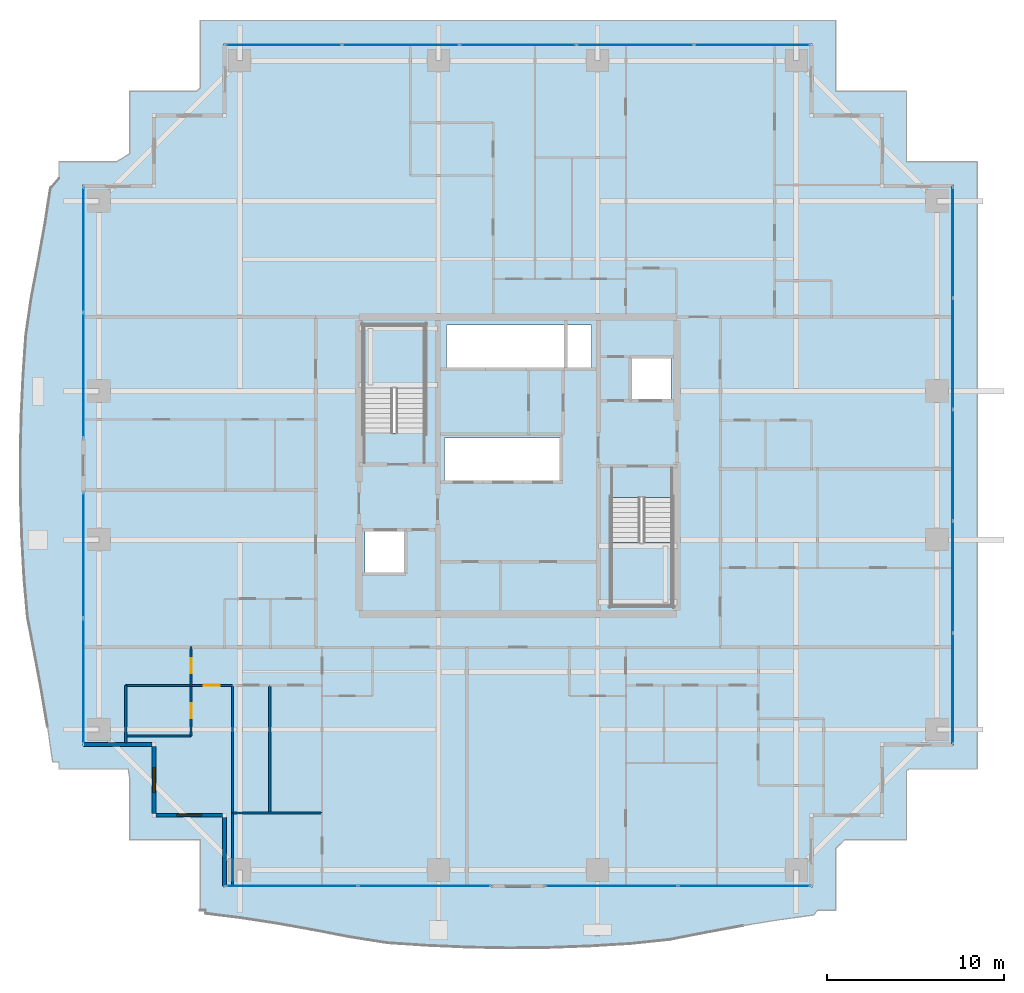
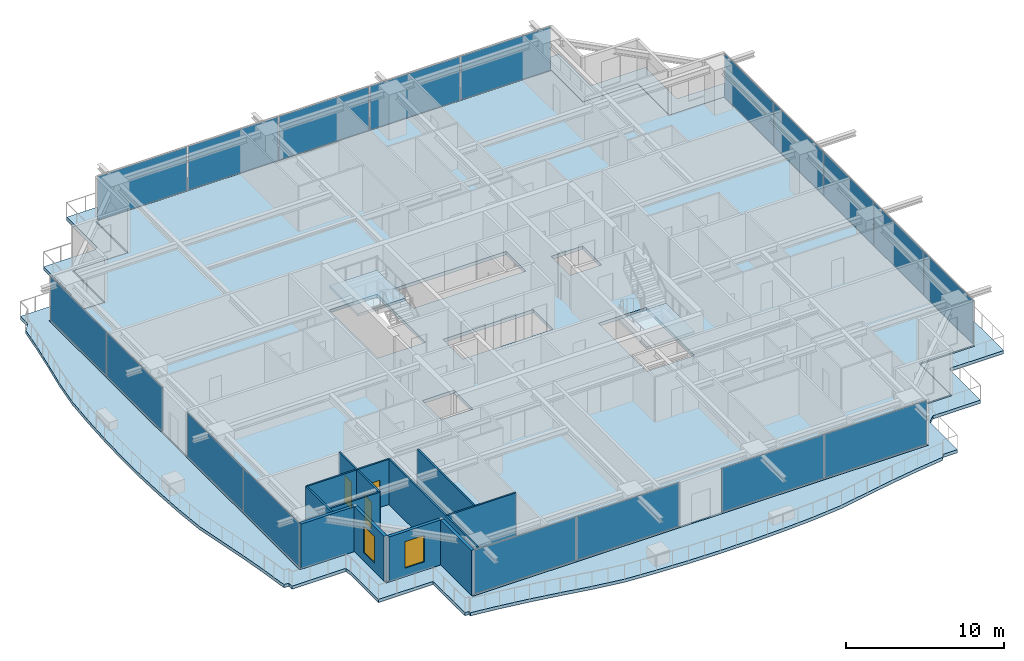
# One storey, part 23 of 34: 18 plates, 13 walls, 4 slabs, 3 doors, 2 windows, 5 openings, 8 elements without a shape of their own.
"""IFC4 building model written with IfcOpenShell, lengths in metres."""

from ifc_helpers import new_model, si_unit, direction, frame, frame_2d, origin, origin_2d, place, context, subcontext, project, spatial, polyline, rectangle, outline, extrude, source, transform, mapped, material, layer, layer_set, type_object, element, fill, aggregate, save


model = new_model("IFC4")

# Units and contexts
model_context = context("Model", 3, precision=1e-05, world=origin(), true_north=direction((0.0, 1.0)))
body_context = subcontext(model_context, "Body", "Model", "MODEL_VIEW")
ifc_project = project(units=[si_unit("LENGTHUNIT", "METRE"), si_unit("AREAUNIT", "SQUARE_METRE"), si_unit("VOLUMEUNIT", "CUBIC_METRE"), si_unit("PLANEANGLEUNIT", "RADIAN"), si_unit("MASSUNIT", "GRAM", prefix="KILO")], contexts=[model_context])

# Site, building, storey
site_placement = place(None, origin())
site = spatial("IfcSite", under=ifc_project, at=site_placement, CompositionType="ELEMENT")
building_placement = place(site_placement, origin())
building = spatial("IfcBuilding", under=site, at=building_placement, Name="Serunith Strait Residences", CompositionType="ELEMENT")
storey_placement = place(building_placement, frame((0.0, 0.0, 142.64990234375)))
storey = spatial("IfcBuildingStorey", under=building, at=storey_placement, Name="L35", CompositionType="ELEMENT", Elevation=142.64990234375)

# Slab
ifc_material_1 = material(Name="Concrete C50/60", Category="concrete")
ifc_layer_1 = layer(ifc_material_1, 0.239990234375, Name="Concrete C50/60")
ifc_layer_set_1 = layer_set([ifc_layer_1], Name="Concrete C50/60")
slab_type_1 = type_object("IfcSlabType", Name="SLB-BALC-240", PredefinedType="FLOOR", material=ifc_layer_set_1)
slab_1_placement = place(storey_placement, frame((0.0, 0.0, -0.289794921875)))
element("IfcSlab", 1, at=slab_1_placement, inside=storey, type_object=slab_type_1, Name="L35 Planted Vertical-Forest Balcony Slab", PredefinedType="FLOOR", context=body_context, shape_type="SweptSolid", body=[
    extrude(outline(polyline([(14.419921875, 0.02001953125), (14.419921875, 4.02001953125), (10.419921875, 4.02001953125), (10.419921875, 7.514404296875), (10.343994140625, 8.02001953125), (6.419921875, 8.02001953125), (6.419921875, 8.406494140625), (6.062744140625, 8.427001953125), (5.77734375, 10.427734375), (5.43701171875, 12.44921875), (5.05126953125, 14.5087890625), (4.64501953125, 16.625244140625), (4.44873046875, 18.85595703125), (4.323486328125, 21.12939453125), (4.252197265625, 23.426513671875), (4.2412109375, 25.734130859375), (4.2919921875, 28.03759765625), (4.399169921875, 30.322021484375), (4.552978515625, 32.576904296875), (4.867919921875, 34.75048828125), (5.26806640625, 36.8359375), (5.632080078125, 38.8740234375), (5.944091796875, 40.883544921875), (6.419921875, 41.4404296875), (6.419921875, 42.3798828125), (9.6748046875, 42.3798828125), (10.419921875, 42.8251953125), (10.419921875, 46.3798828125), (14.1982421875, 46.3798828125), (14.419921875, 46.55908203125), (14.419921875, 50.3798828125), (50.3798828125, 50.3798828125), (50.3798828125, 46.3798828125), (54.3798828125, 46.3798828125), (54.3798828125, 42.3798828125), (58.3798828125, 42.3798828125), (58.3798828125, 8.02001953125), (54.51513671875, 8.02001953125), (54.3798828125, 7.921875), (54.3798828125, 4.02001953125), (50.8994140625, 4.02001953125), (50.3798828125, 3.522705078125), (50.3798828125, 0.02001953125), (49.33251953125, 0.02001953125), (49.14599609375, -0.239501953125), (47.146484375, -0.51220703125), (45.129638671875, -0.843017578125), (43.0771484375, -1.224609375), (40.968994140625, -1.634765625), (38.74951171875, -1.866455078125), (36.4765625, -2.002685546875), (34.177001953125, -2.0869140625), (31.864501953125, -2.10986328125), (29.5546875, -2.069580078125), (27.2626953125, -1.969970703125), (25.00146484375, -1.82080078125), (22.834716796875, -1.47802734375), (20.75244140625, -1.076171875), (18.717529296875, -0.713134765625), (16.71044921875, -0.405517578125), (14.715087890625, -0.155517578125), (14.71630859375, 0.02001953125), (14.419921875, 0.02001953125)]), holes=[polyline([(49.054931640625, 1.344970703125), (49.054931640625, 5.344970703125), (53.054931640625, 5.344970703125), (53.054931640625, 9.344970703125), (57.054931640625, 9.344970703125), (57.054931640625, 41.054931640625), (53.054931640625, 41.054931640625), (53.054931640625, 45.054931640625), (49.054931640625, 45.054931640625), (49.054931640625, 49.054931640625), (15.7451171875, 49.054931640625), (15.7451171875, 45.054931640625), (11.7451171875, 45.054931640625), (11.7451171875, 41.054931640625), (7.7451171875, 41.054931640625), (7.7451171875, 9.344970703125), (11.7451171875, 9.344970703125), (11.7451171875, 5.344970703125), (15.7451171875, 5.344970703125), (15.7451171875, 1.344970703125), (49.054931640625, 1.344970703125)])]), origin(), (0.0, 0.0, 1.0), 0.239990234375),
])

# Stair, slab
stair_type_1 = type_object("IfcStairType", Name="STR-CORE-1", PredefinedType="HALF_TURN_STAIR", material=ifc_material_1)
stair_1_placement = place(storey_placement, origin())
stair_1 = element("IfcStair", 2, at=stair_1_placement, inside=storey, type_object=stair_type_1, Name="L35 Protected Escape Stair ST-1", PredefinedType="HALF_TURN_STAIR")
ifc_layer_2 = layer(ifc_material_1, 0.199951171875, Name="Concrete C50/60")
ifc_layer_set_2 = layer_set([ifc_layer_2], Name="Concrete C50/60")
slab_type_2 = type_object("IfcSlabType", Name="SLB-LAND-200", PredefinedType="LANDING", material=ifc_layer_set_2)
slab_2_placement = place(storey_placement, frame((0.0, 0.0, 1.675048828125)))
slab_2 = element("IfcSlab", 3, at=slab_2_placement, type_object=slab_type_2, Name="ST-1 landing 1", PredefinedType="LANDING", context=body_context, shape_type="SweptSolid", body=[
    extrude(outline(polyline([(27.14990234375, 29.550048828125), (27.14990234375, 33.14990234375), (23.64990234375, 33.14990234375), (23.64990234375, 29.550048828125), (27.14990234375, 29.550048828125)])), origin(), (0.0, 0.0, 1.0), 0.199951171875),
])
aggregate(stair_1, [slab_2])

stair_type_2 = type_object("IfcStairType", Name="STR-CORE-2", PredefinedType="HALF_TURN_STAIR", material=ifc_material_1)
stair_2_placement = place(storey_placement, origin())
stair_2 = element("IfcStair", 4, at=stair_2_placement, inside=storey, type_object=stair_type_2, Name="L35 Protected Escape Stair ST-2", PredefinedType="HALF_TURN_STAIR")
slab_3_placement = place(storey_placement, frame((0.0, 0.0, 1.675048828125)))
slab_3 = element("IfcSlab", 5, at=slab_3_placement, type_object=slab_type_2, Name="ST-2 landing 1", PredefinedType="LANDING", context=body_context, shape_type="SweptSolid", body=[
    extrude(outline(polyline([(37.64990234375, 20.85009765625), (37.64990234375, 17.25), (41.14990234375, 17.25), (41.14990234375, 20.85009765625), (37.64990234375, 20.85009765625)])), origin(), (0.0, 0.0, 1.0), 0.199951171875),
])
aggregate(stair_2, [slab_3])

# Slab
ifc_material_2 = material(Name="Concrete C60/75", Category="concrete")
ifc_layer_3 = layer(ifc_material_2, 0.260009765625, Name="Concrete C60/75")
ifc_layer_set_3 = layer_set([ifc_layer_3], Name="Concrete C60/75")
slab_type_3 = type_object("IfcSlabType", Name="SLB-TWR-260-Z2", PredefinedType="FLOOR", material=ifc_layer_set_3)
slab_4_placement = place(storey_placement, frame((0.0, 0.0, -0.260009765625)))
element("IfcSlab", 6, at=slab_4_placement, inside=storey, type_object=slab_type_3, Name="L35 Structural Floor Plate", PredefinedType="FLOOR", context=body_context, shape_type="SweptSolid", body=[
    extrude(outline(polyline([(15.800048828125, 5.39990234375), (11.800048828125, 5.39990234375), (11.800048828125, 9.39990234375), (7.800048828125, 9.39990234375), (7.800048828125, 41.0), (11.800048828125, 41.0), (11.800048828125, 45.0), (15.800048828125, 45.0), (15.800048828125, 49.0), (49.0, 49.0), (49.0, 45.0), (53.0, 45.0), (53.0, 41.0), (57.0, 41.0), (57.0, 9.39990234375), (53.0, 9.39990234375), (53.0, 5.39990234375), (49.0, 5.39990234375), (49.0, 1.39990234375), (15.800048828125, 1.39990234375), (15.800048828125, 5.39990234375)]), holes=[polyline([(41.14990234375, 23.3701171875), (37.64990234375, 23.3701171875), (37.64990234375, 17.25), (41.14990234375, 17.25), (41.14990234375, 23.3701171875)]), polyline([(38.75, 31.25), (38.75, 28.85009765625), (41.050048828125, 28.85009765625), (41.050048828125, 31.25), (38.75, 31.25)]), polyline([(36.550048828125, 33.14990234375), (28.35009765625, 33.14990234375), (28.35009765625, 30.64990234375), (36.550048828125, 30.64990234375), (36.550048828125, 33.14990234375)]), polyline([(34.85009765625, 26.75), (28.25, 26.75), (28.25, 24.25), (34.85009765625, 24.25), (34.85009765625, 26.75)]), polyline([(23.64990234375, 33.14990234375), (23.64990234375, 27.030029296875), (27.14990234375, 27.030029296875), (27.14990234375, 33.14990234375), (23.64990234375, 33.14990234375)]), polyline([(26.050048828125, 21.550048828125), (23.75, 21.550048828125), (23.75, 19.14990234375), (26.050048828125, 19.14990234375), (26.050048828125, 21.550048828125)])]), origin(), (0.0, 0.0, 1.0), 0.260009765625),
])

# Curtain wall, plates
ifc_material_3 = material(Name="Pale-Champagne Anodised Aluminium", Category="aluminium")
ifc_layer_4 = layer(ifc_material_3, 0.199951171875, Name="Pale-Champagne Anodised Aluminium")
ifc_layer_set_4 = layer_set([ifc_layer_4], Name="Pale-Champagne Anodised Aluminium")
curtain_wall_type = type_object("IfcCurtainWallType", Name="CW-SYS2", PredefinedType="NOTDEFINED", material=ifc_layer_set_4)
curtain_wall_1_placement = place(storey_placement, origin())
curtain_wall_1 = element("IfcCurtainWall", 7, at=curtain_wall_1_placement, inside=storey, type_object=curtain_wall_type, Name="L35 N Unitised Fritted Curtain Wall", PredefinedType="NOTDEFINED")
ifc_material_4 = material(Name="Diagonal-Frit Operable Low-E Glazing 30mm", Category="glass")
ifc_layer_5 = layer(ifc_material_4, 0.030029296875, Name="Diagonal-Frit Operable Low-E Glazing 30mm")
ifc_layer_set_5 = layer_set([ifc_layer_5], Name="Diagonal-Frit Operable Low-E Glazing 30mm")
plate_type = type_object("IfcPlateType", Name="CW-SYS2-PNL", PredefinedType="CURTAIN_PANEL", material=ifc_layer_set_5)
shared_shape_1 = source(origin(), body_context, "Body", "SweptSolid", [
    extrude(rectangle(XDim=6.534912109375, YDim=0.030029296875, at=origin_2d()), origin(), (0.0, 0.0, 1.0), 3.35498046875),
])
plate_1_placement = place(storey_placement, frame((45.66259765625, 49.0, 0.06005859375), z_axis=(0.0, 0.0, 1.0), x_axis=(-1.0, 0.0, 0.0)))
plate_1 = element("IfcPlate", 8, at=plate_1_placement, type_object=plate_type, Name="CW-2 panel 1.1", PredefinedType="CURTAIN_PANEL", context=body_context, shape_type="MappedRepresentation", body=[
    mapped(shared_shape_1, transform((0.0, 0.0, 0.0), scale=1.0)),
])
plate_2_placement = place(storey_placement, frame((19.137451171875, 49.0, 0.06005859375), z_axis=(0.0, 0.0, 1.0), x_axis=(-1.0, 0.0, 0.0)))
plate_2 = element("IfcPlate", 9, at=plate_2_placement, type_object=plate_type, Name="CW-2 panel 5.1", PredefinedType="CURTAIN_PANEL", context=body_context, shape_type="MappedRepresentation", body=[
    mapped(shared_shape_1, transform((0.0, 0.0, 0.0), scale=1.0)),
])
shared_shape_2 = source(origin(), body_context, "Body", "SweptSolid", [
    extrude(rectangle(XDim=6.570068359375, YDim=0.030029296875, at=origin_2d()), origin(), (0.0, 0.0, 1.0), 3.35498046875),
])
plate_3_placement = place(storey_placement, frame((39.0400390625, 49.0, 0.06005859375), z_axis=(0.0, 0.0, 1.0), x_axis=(-1.0, 0.0, 0.0)))
plate_3 = element("IfcPlate", 10, at=plate_3_placement, type_object=plate_type, Name="CW-2 panel 2.1", PredefinedType="CURTAIN_PANEL", context=body_context, shape_type="MappedRepresentation", body=[
    mapped(shared_shape_2, transform((0.0, 0.0, 0.0), scale=1.0)),
])
plate_4_placement = place(storey_placement, frame((32.39990234375, 49.0, 0.06005859375), z_axis=(0.0, 0.0, 1.0), x_axis=(-1.0, 0.0, 0.0)))
plate_4 = element("IfcPlate", 11, at=plate_4_placement, type_object=plate_type, Name="CW-2 panel 3.1", PredefinedType="CURTAIN_PANEL", context=body_context, shape_type="MappedRepresentation", body=[
    mapped(shared_shape_2, transform((0.0, 0.0, 0.0), scale=1.0)),
])
plate_5_placement = place(storey_placement, frame((25.760009765625, 49.0, 0.06005859375), z_axis=(0.0, 0.0, 1.0), x_axis=(-1.0, 0.0, 0.0)))
plate_5 = element("IfcPlate", 12, at=plate_5_placement, type_object=plate_type, Name="CW-2 panel 4.1", PredefinedType="CURTAIN_PANEL", context=body_context, shape_type="MappedRepresentation", body=[
    mapped(shared_shape_2, transform((0.0, 0.0, 0.0), scale=1.0)),
])
aggregate(curtain_wall_1, [plate_1, plate_3, plate_4, plate_5, plate_2])

curtain_wall_2_placement = place(storey_placement, origin())
curtain_wall_2 = element("IfcCurtainWall", 13, at=curtain_wall_2_placement, inside=storey, type_object=curtain_wall_type, Name="L35 E Unitised Fritted Curtain Wall", PredefinedType="NOTDEFINED")
shared_shape_3 = source(origin(), body_context, "Body", "SweptSolid", [
    extrude(rectangle(XDim=6.215087890625, YDim=0.030029296875, at=origin_2d()), origin(), (0.0, 0.0, 1.0), 3.35498046875),
])
plate_6_placement = place(storey_placement, frame((57.0, 12.577392578125, 0.06005859375), z_axis=(0.0, 0.0, 1.0), x_axis=(0.0, 1.0, 0.0)))
plate_6 = element("IfcPlate", 14, at=plate_6_placement, type_object=plate_type, Name="CW-2 panel 1.1", PredefinedType="CURTAIN_PANEL", context=body_context, shape_type="MappedRepresentation", body=[
    mapped(shared_shape_3, transform((0.0, 0.0, 0.0), scale=1.0)),
])
plate_7_placement = place(storey_placement, frame((57.0, 37.822509765625, 0.06005859375), z_axis=(0.0, 0.0, 1.0), x_axis=(0.0, 1.0, 0.0)))
plate_7 = element("IfcPlate", 15, at=plate_7_placement, type_object=plate_type, Name="CW-2 panel 5.1", PredefinedType="CURTAIN_PANEL", context=body_context, shape_type="MappedRepresentation", body=[
    mapped(shared_shape_3, transform((0.0, 0.0, 0.0), scale=1.0)),
])
shared_shape_4 = source(origin(), body_context, "Body", "SweptSolid", [
    extrude(rectangle(XDim=6.25, YDim=0.030029296875, at=origin_2d()), origin(), (0.0, 0.0, 1.0), 3.35498046875),
])
plate_8_placement = place(storey_placement, frame((57.0, 18.8798828125, 0.06005859375), z_axis=(0.0, 0.0, 1.0), x_axis=(0.0, 1.0, 0.0)))
plate_8 = element("IfcPlate", 16, at=plate_8_placement, type_object=plate_type, Name="CW-2 panel 2.1", PredefinedType="CURTAIN_PANEL", context=body_context, shape_type="MappedRepresentation", body=[
    mapped(shared_shape_4, transform((0.0, 0.0, 0.0), scale=1.0)),
])
plate_9_placement = place(storey_placement, frame((57.0, 25.199951171875, 0.06005859375), z_axis=(0.0, 0.0, 1.0), x_axis=(0.0, 1.0, 0.0)))
plate_9 = element("IfcPlate", 17, at=plate_9_placement, type_object=plate_type, Name="CW-2 panel 3.1", PredefinedType="CURTAIN_PANEL", context=body_context, shape_type="MappedRepresentation", body=[
    mapped(shared_shape_4, transform((0.0, 0.0, 0.0), scale=1.0)),
])
plate_10_placement = place(storey_placement, frame((57.0, 31.52001953125, 0.06005859375), z_axis=(0.0, 0.0, 1.0), x_axis=(0.0, 1.0, 0.0)))
plate_10 = element("IfcPlate", 18, at=plate_10_placement, type_object=plate_type, Name="CW-2 panel 4.1", PredefinedType="CURTAIN_PANEL", context=body_context, shape_type="MappedRepresentation", body=[
    mapped(shared_shape_4, transform((0.0, 0.0, 0.0), scale=1.0)),
])
aggregate(curtain_wall_2, [plate_6, plate_8, plate_9, plate_10, plate_7])

curtain_wall_3_placement = place(storey_placement, origin())
curtain_wall_3 = element("IfcCurtainWall", 19, at=curtain_wall_3_placement, inside=storey, type_object=curtain_wall_type, Name="L35 S Unitised Fritted Curtain Wall", PredefinedType="NOTDEFINED")
shared_shape_5 = source(origin(), body_context, "Body", "SweptSolid", [
    extrude(rectangle(XDim=7.445068359375, YDim=0.030029296875, at=origin_2d()), origin(), (0.0, 0.0, 1.0), 3.35498046875),
])
plate_11_placement = place(storey_placement, frame((19.592529296875, 1.39990234375, 0.06005859375), z_axis=(0.0, 0.0, 1.0), x_axis=(1.0, 0.0, 0.0)))
plate_11 = element("IfcPlate", 20, at=plate_11_placement, type_object=plate_type, Name="CW-2 panel 1.1", PredefinedType="CURTAIN_PANEL", context=body_context, shape_type="MappedRepresentation", body=[
    mapped(shared_shape_5, transform((0.0, 0.0, 0.0), scale=1.0)),
])
plate_12_placement = place(storey_placement, frame((27.107421875, 1.39990234375, 0.06005859375), z_axis=(0.0, 0.0, 1.0), x_axis=(1.0, 0.0, 0.0)))
plate_12 = element("IfcPlate", 21, at=plate_12_placement, type_object=plate_type, Name="CW-2 panel 2.1", PredefinedType="CURTAIN_PANEL", context=body_context, shape_type="MappedRepresentation", body=[
    mapped(shared_shape_5, transform((0.0, 0.0, 0.0), scale=1.0)),
])
aggregate(curtain_wall_3, [plate_11, plate_12])

curtain_wall_4_placement = place(storey_placement, origin())
curtain_wall_4 = element("IfcCurtainWall", 22, at=curtain_wall_4_placement, inside=storey, type_object=curtain_wall_type, Name="L35 S Unitised Fritted Curtain Wall", PredefinedType="NOTDEFINED")
plate_13_placement = place(storey_placement, frame((37.6923828125, 1.39990234375, 0.06005859375), z_axis=(0.0, 0.0, 1.0), x_axis=(1.0, 0.0, 0.0)))
plate_13 = element("IfcPlate", 23, at=plate_13_placement, type_object=plate_type, Name="CW-2 panel 1.1", PredefinedType="CURTAIN_PANEL", context=body_context, shape_type="MappedRepresentation", body=[
    mapped(shared_shape_5, transform((0.0, 0.0, 0.0), scale=1.0)),
])
plate_14_placement = place(storey_placement, frame((45.20751953125, 1.39990234375, 0.06005859375), z_axis=(0.0, 0.0, 1.0), x_axis=(1.0, 0.0, 0.0)))
plate_14 = element("IfcPlate", 24, at=plate_14_placement, type_object=plate_type, Name="CW-2 panel 2.1", PredefinedType="CURTAIN_PANEL", context=body_context, shape_type="MappedRepresentation", body=[
    mapped(shared_shape_5, transform((0.0, 0.0, 0.0), scale=1.0)),
])
aggregate(curtain_wall_4, [plate_13, plate_14])

curtain_wall_5_placement = place(storey_placement, origin())
curtain_wall_5 = element("IfcCurtainWall", 25, at=curtain_wall_5_placement, inside=storey, type_object=curtain_wall_type, Name="L35 W Unitised Fritted Curtain Wall", PredefinedType="NOTDEFINED")
shared_shape_6 = source(origin(), body_context, "Body", "SweptSolid", [
    extrude(rectangle(XDim=7.044921875, YDim=0.030029296875, at=origin_2d()), origin(), (0.0, 0.0, 1.0), 3.35498046875),
])
plate_15_placement = place(storey_placement, frame((7.800048828125, 37.407470703125, 0.06005859375), z_axis=(0.0, 0.0, 1.0), x_axis=(0.0, -1.0, 0.0)))
plate_15 = element("IfcPlate", 26, at=plate_15_placement, type_object=plate_type, Name="CW-2 panel 1.1", PredefinedType="CURTAIN_PANEL", context=body_context, shape_type="MappedRepresentation", body=[
    mapped(shared_shape_6, transform((0.0, 0.0, 0.0), scale=1.0)),
])
plate_16_placement = place(storey_placement, frame((7.800048828125, 30.29248046875, 0.06005859375), z_axis=(0.0, 0.0, 1.0), x_axis=(0.0, -1.0, 0.0)))
plate_16 = element("IfcPlate", 27, at=plate_16_placement, type_object=plate_type, Name="CW-2 panel 2.1", PredefinedType="CURTAIN_PANEL", context=body_context, shape_type="MappedRepresentation", body=[
    mapped(shared_shape_6, transform((0.0, 0.0, 0.0), scale=1.0)),
])
aggregate(curtain_wall_5, [plate_15, plate_16])

curtain_wall_6_placement = place(storey_placement, origin())
curtain_wall_6 = element("IfcCurtainWall", 28, at=curtain_wall_6_placement, inside=storey, type_object=curtain_wall_type, Name="L35 W Unitised Fritted Curtain Wall", PredefinedType="NOTDEFINED")
plate_17_placement = place(storey_placement, frame((7.800048828125, 20.107421875, 0.06005859375), z_axis=(0.0, 0.0, 1.0), x_axis=(0.0, -1.0, 0.0)))
plate_17 = element("IfcPlate", 29, at=plate_17_placement, type_object=plate_type, Name="CW-2 panel 1.1", PredefinedType="CURTAIN_PANEL", context=body_context, shape_type="MappedRepresentation", body=[
    mapped(shared_shape_6, transform((0.0, 0.0, 0.0), scale=1.0)),
])
plate_18_placement = place(storey_placement, frame((7.800048828125, 12.992431640625, 0.06005859375), z_axis=(0.0, 0.0, 1.0), x_axis=(0.0, -1.0, 0.0)))
plate_18 = element("IfcPlate", 30, at=plate_18_placement, type_object=plate_type, Name="CW-2 panel 2.1", PredefinedType="CURTAIN_PANEL", context=body_context, shape_type="MappedRepresentation", body=[
    mapped(shared_shape_6, transform((0.0, 0.0, 0.0), scale=1.0)),
])
aggregate(curtain_wall_6, [plate_17, plate_18])

# Wall
ifc_material_5 = material(Name="Pale-Champagne Aluminium Insulated Panel", Category="aluminium")
ifc_layer_6 = layer(ifc_material_5, 0.219970703125, Name="Pale-Champagne Aluminium Insulated Panel")
ifc_layer_set_6 = layer_set([ifc_layer_6], Name="Pale-Champagne Aluminium Insulated Panel")
wall_type_1 = type_object("IfcWallType", Name="EW-ALUM-220", PredefinedType="ELEMENTEDWALL", material=ifc_layer_set_6)
wall_1_placement = place(storey_placement, frame((7.800048828125, 9.39990234375, 0.0), z_axis=(0.0, 0.0, 1.0), x_axis=(1.0, 0.0, 0.0)))
element("IfcWall", 31, at=wall_1_placement, inside=storey, type_object=wall_type_1, Name="L35 Girih Serrated Corner Wall 17", PredefinedType="ELEMENTEDWALL", context=body_context, shape_type="SweptSolid", body=[
    extrude(rectangle(XDim=3.889892578125, YDim=0.219970703125, at=frame_2d((1.94482421875, 0.0))), origin(), (0.0, 0.0, 1.0), 3.47509765625),
])

# Wall, opening, window
wall_2_placement = place(storey_placement, frame((11.800048828125, 9.2900390625, 0.0), z_axis=(0.0, 0.0, 1.0), x_axis=(0.0, -1.0, 0.0)))
wall_2 = element("IfcWall", 32, at=wall_2_placement, inside=storey, type_object=wall_type_1, Name="L35 Girih Serrated Corner Wall 18", PredefinedType="ELEMENTEDWALL", context=body_context, shape_type="SweptSolid", body=[
    extrude(rectangle(XDim=3.780029296875, YDim=0.219970703125, at=frame_2d((1.89013671875, 0.0))), origin(), (0.0, 0.0, 1.0), 3.47509765625),
])
opening_1_placement = place(wall_2_placement, frame((1.18994140625, 0.0, 0.64990234375)))
opening_1 = element("IfcOpeningElement", 33, at=opening_1_placement, cuts=wall_2, Name="Opening W-03", PredefinedType="OPENING", context=body_context, shape_type="SweptSolid", body=[
    extrude(rectangle(XDim=1.39990234375, YDim=2.050048828125, at=frame_2d((0.699951171875, 1.02490234375))), frame((0.0, 0.1201171875, 0.0), z_axis=(0.0, -1.0, 0.0), x_axis=(1.0, 0.0, 0.0)), (0.0, 0.0, 1.0), 0.239990234375),
])
ifc_material_6 = material(Name="Ceramic-Fritted Operable Aluminium Window Glass", Category="aluminium")
window_type = type_object("IfcWindowType", Name="WIN-C3", PartitioningType="SINGLE_PANEL", PredefinedType="WINDOW", material=ifc_material_6)
shared_shape_7 = source(origin(), body_context, "Body", "SweptSolid", [
    extrude(rectangle(XDim=1.39990234375, YDim=2.050048828125, at=frame_2d((0.699951171875, 1.02490234375))), frame((0.0, 0.030029296875, 0.0), z_axis=(0.0, -1.0, 0.0), x_axis=(1.0, 0.0, 0.0)), (0.0, 0.0, 1.0), 0.06005859375),
])
window_1_placement = place(opening_1_placement, origin())
window_1 = element("IfcWindow", 34, at=window_1_placement, inside=storey, type_object=window_type, Name="L35 Corner Operable Fritted Window 18", OverallHeight=2.050048828125, OverallWidth=1.39990234375, PartitioningType="SINGLE_PANEL", PredefinedType="WINDOW", context=body_context, shape_type="MappedRepresentation", body=[
    mapped(shared_shape_7, transform((0.0, 0.0, 0.0), scale=1.0)),
])
fill(opening_1, window_1)

wall_3_placement = place(storey_placement, frame((11.909912109375, 5.39990234375, 0.0), z_axis=(0.0, 0.0, 1.0), x_axis=(1.0, 0.0, 0.0)))
wall_3 = element("IfcWall", 35, at=wall_3_placement, inside=storey, type_object=wall_type_1, Name="L35 Girih Serrated Corner Wall 19", PredefinedType="ELEMENTEDWALL", context=body_context, shape_type="SweptSolid", body=[
    extrude(rectangle(XDim=3.780029296875, YDim=0.219970703125, at=frame_2d((1.89013671875, 0.0))), origin(), (0.0, 0.0, 1.0), 3.47509765625),
])
opening_2_placement = place(wall_3_placement, frame((1.18994140625, 0.0, 0.64990234375)))
opening_2 = element("IfcOpeningElement", 36, at=opening_2_placement, cuts=wall_3, Name="Opening W-03", PredefinedType="OPENING", context=body_context, shape_type="SweptSolid", body=[
    extrude(rectangle(XDim=1.39990234375, YDim=2.050048828125, at=frame_2d((0.699951171875, 1.02490234375))), frame((0.0, 0.1201171875, 0.0), z_axis=(0.0, -1.0, 0.0), x_axis=(1.0, 0.0, 0.0)), (0.0, 0.0, 1.0), 0.239990234375),
])
window_2_placement = place(opening_2_placement, origin())
window_2 = element("IfcWindow", 37, at=window_2_placement, inside=storey, type_object=window_type, Name="L35 Corner Operable Fritted Window 19", OverallHeight=2.050048828125, OverallWidth=1.39990234375, PartitioningType="SINGLE_PANEL", PredefinedType="WINDOW", context=body_context, shape_type="MappedRepresentation", body=[
    mapped(shared_shape_7, transform((0.0, 0.0, 0.0), scale=1.0)),
])
fill(opening_2, window_2)

# Walls
wall_4_placement = place(storey_placement, frame((15.800048828125, 5.2900390625, 0.0), z_axis=(0.0, 0.0, 1.0), x_axis=(0.0, -1.0, 0.0)))
element("IfcWall", 38, at=wall_4_placement, inside=storey, type_object=wall_type_1, Name="L35 Girih Serrated Corner Wall 20", PredefinedType="ELEMENTEDWALL", context=body_context, shape_type="SweptSolid", body=[
    extrude(rectangle(XDim=3.89013671875, YDim=0.219970703125, at=frame_2d((1.945068359375, 0.0))), origin(), (0.0, 0.0, 1.0), 3.47509765625),
])
ifc_material_7 = material(Name="Lightweight steel-stud gypsum partition", Category="steel")
ifc_layer_7 = layer(ifc_material_7, 0.1201171875, Name="Lightweight steel-stud gypsum partition")
ifc_layer_set_7 = layer_set([ifc_layer_7], Name="Lightweight steel-stud gypsum partition")
wall_type_2 = type_object("IfcWallType", Name="IW-PART-120", PredefinedType="PARTITIONING", material=ifc_layer_set_7)
wall_5_placement = place(storey_placement, frame((16.25, 5.531005859375, 0.0), z_axis=(0.0, 0.0, 1.0), x_axis=(1.0, 0.0, 0.0)))
element("IfcWall", 39, at=wall_5_placement, inside=storey, type_object=wall_type_2, Name="L35 Partition Wall 035", PredefinedType="PARTITIONING", context=body_context, shape_type="SweptSolid", body=[
    extrude(rectangle(XDim=5.06005859375, YDim=0.1201171875, at=frame_2d((2.530029296875, 0.0))), origin(), (0.0, 0.0, 1.0), 3.489990234375),
])
wall_6_placement = place(storey_placement, frame((16.25, 1.4951171875, 0.0), z_axis=(0.0, 0.0, 1.0), x_axis=(0.0, 1.0, 0.0)))
element("IfcWall", 40, at=wall_6_placement, inside=storey, type_object=wall_type_2, Name="L35 Partition Wall 036", PredefinedType="PARTITIONING", context=body_context, shape_type="SweptSolid", body=[
    extrude(rectangle(XDim=11.2548828125, YDim=0.1201171875, at=frame_2d((5.62744140625, 0.0))), origin(), (0.0, 0.0, 1.0), 3.489990234375),
])
wall_7_placement = place(storey_placement, frame((18.35009765625, 5.531005859375, 0.0), z_axis=(0.0, 0.0, 1.0), x_axis=(0.0, 1.0, 0.0)))
element("IfcWall", 41, at=wall_7_placement, inside=storey, type_object=wall_type_2, Name="L35 Partition Wall 037", PredefinedType="PARTITIONING", context=body_context, shape_type="SweptSolid", body=[
    extrude(rectangle(XDim=7.218994140625, YDim=0.1201171875, at=frame_2d((3.609375, 0.0))), origin(), (0.0, 0.0, 1.0), 3.489990234375),
])

# Wall, opening, door
wall_8_placement = place(storey_placement, frame((13.89990234375, 12.75, 0.0), z_axis=(0.0, 0.0, 1.0), x_axis=(1.0, 0.0, 0.0)))
wall_8 = element("IfcWall", 42, at=wall_8_placement, inside=storey, type_object=wall_type_2, Name="L35 Partition Wall 040", PredefinedType="PARTITIONING", context=body_context, shape_type="SweptSolid", body=[
    extrude(rectangle(XDim=2.34814453125, YDim=0.1201171875, at=frame_2d((1.174072265625, 0.0))), origin(), (0.0, 0.0, 1.0), 3.489990234375),
])
opening_3_placement = place(wall_8_placement, frame((0.72412109375, 0.0, 0.0)))
opening_3 = element("IfcOpeningElement", 43, at=opening_3_placement, cuts=wall_8, Name="Opening D-RM900", PredefinedType="OPENING", context=body_context, shape_type="SweptSolid", body=[
    extrude(rectangle(XDim=0.89990234375, YDim=2.10009765625, at=frame_2d((0.449951171875, 1.050048828125))), frame((0.0, 0.070068359375, 0.0), z_axis=(0.0, -1.0, 0.0), x_axis=(1.0, 0.0, 0.0)), (0.0, 0.0, 1.0), 0.14013671875),
])
ifc_material_8 = material(Name="Engineered timber flush bedroom door", Category="wood")
door_type_1 = type_object("IfcDoorType", Name="ID-ROOM-900", OperationType="NOTDEFINED", PredefinedType="DOOR", material=ifc_material_8)
shared_shape_8 = source(origin(), body_context, "Body", "SweptSolid", [
    extrude(rectangle(XDim=0.89990234375, YDim=2.10009765625, at=frame_2d((0.449951171875, 1.050048828125))), frame((0.0, 0.02490234375, 0.0), z_axis=(0.0, -1.0, 0.0), x_axis=(1.0, 0.0, 0.0)), (0.0, 0.0, 1.0), 0.050048828125),
])
door_1_placement = place(opening_3_placement, origin())
door_1 = element("IfcDoor", 44, at=door_1_placement, inside=storey, type_object=door_type_1, Name="L35 Master Bedroom W 3501 Door", OperationType="SINGLE_SWING_RIGHT", OverallHeight=2.10009765625, OverallWidth=0.89990234375, PredefinedType="DOOR", context=body_context, shape_type="MappedRepresentation", body=[
    mapped(shared_shape_8, transform((0.0, 0.0, 0.0), scale=1.0)),
])
fill(opening_3, door_1)

# Walls
wall_9_placement = place(storey_placement, frame((10.199951171875, 9.89501953125, 0.0), z_axis=(0.0, 0.0, 1.0), x_axis=(1.0, 0.0, 0.0)))
element("IfcWall", 45, at=wall_9_placement, inside=storey, type_object=wall_type_2, Name="L35 Partition Wall 041", PredefinedType="PARTITIONING", context=body_context, shape_type="SweptSolid", body=[
    extrude(rectangle(XDim=3.699951171875, YDim=0.1201171875, at=frame_2d((1.85009765625, 0.0))), origin(), (0.0, 0.0, 1.0), 3.489990234375),
])
wall_10_placement = place(storey_placement, frame((10.199951171875, 9.4951171875, 0.0), z_axis=(0.0, 0.0, 1.0), x_axis=(0.0, 1.0, 0.0)))
element("IfcWall", 46, at=wall_10_placement, inside=storey, type_object=wall_type_2, Name="L35 Partition Wall 042", PredefinedType="PARTITIONING", context=body_context, shape_type="SweptSolid", body=[
    extrude(rectangle(XDim=3.2548828125, YDim=0.1201171875, at=frame_2d((1.62744140625, 0.0))), origin(), (0.0, 0.0, 1.0), 3.489990234375),
])
wall_11_placement = place(storey_placement, frame((10.199951171875, 12.75, 0.0), z_axis=(0.0, 0.0, 1.0), x_axis=(1.0, 0.0, 0.0)))
element("IfcWall", 47, at=wall_11_placement, inside=storey, type_object=wall_type_2, Name="L35 Partition Wall 043", PredefinedType="PARTITIONING", context=body_context, shape_type="SweptSolid", body=[
    extrude(rectangle(XDim=3.697998046875, YDim=0.1201171875, at=frame_2d((1.84912109375, 0.0))), origin(), (0.0, 0.0, 1.0), 3.489990234375),
])

# Wall, opening, door
wall_12_placement = place(storey_placement, frame((13.89990234375, 9.89501953125, 0.0), z_axis=(0.0, 0.0, 1.0), x_axis=(0.0, 1.0, 0.0)))
wall_12 = element("IfcWall", 48, at=wall_12_placement, inside=storey, type_object=wall_type_2, Name="L35 Partition Wall 044", PredefinedType="PARTITIONING", context=body_context, shape_type="SweptSolid", body=[
    extrude(rectangle(XDim=2.85498046875, YDim=0.1201171875, at=frame_2d((1.427490234375, 0.0))), origin(), (0.0, 0.0, 1.0), 3.489990234375),
])
opening_4_placement = place(wall_12_placement, frame((1.0029296875, 0.0, 0.0)))
opening_4 = element("IfcOpeningElement", 49, at=opening_4_placement, cuts=wall_12, Name="Opening D-BTH850", PredefinedType="OPENING", context=body_context, shape_type="SweptSolid", body=[
    extrude(rectangle(XDim=0.85009765625, YDim=2.10009765625, at=frame_2d((0.425048828125, 1.050048828125))), frame((0.0, 0.070068359375, 0.0), z_axis=(0.0, -1.0, 0.0), x_axis=(1.0, 0.0, 0.0)), (0.0, 0.0, 1.0), 0.14013671875),
])
ifc_material_9 = material(Name="Moisture-resistant timber bathroom door", Category="wood")
door_type_2 = type_object("IfcDoorType", Name="ID-BATH-850", OperationType="NOTDEFINED", PredefinedType="DOOR", material=ifc_material_9)
shared_shape_9 = source(origin(), body_context, "Body", "SweptSolid", [
    extrude(rectangle(XDim=0.85009765625, YDim=2.10009765625, at=frame_2d((0.425048828125, 1.050048828125))), frame((0.0, 0.02490234375, 0.0), z_axis=(0.0, -1.0, 0.0), x_axis=(1.0, 0.0, 0.0)), (0.0, 0.0, 1.0), 0.050048828125),
])
door_2_placement = place(opening_4_placement, origin())
door_2 = element("IfcDoor", 50, at=door_2_placement, inside=storey, type_object=door_type_2, Name="L35 En-suite Bathroom W 3501 Door", OperationType="SINGLE_SWING_LEFT", OverallHeight=2.10009765625, OverallWidth=0.85009765625, PredefinedType="DOOR", context=body_context, shape_type="MappedRepresentation", body=[
    mapped(shared_shape_9, transform((0.0, 0.0, 0.0), scale=1.0)),
])
fill(opening_4, door_2)

wall_13_placement = place(storey_placement, frame((13.89990234375, 12.751953125, 0.0), z_axis=(0.0, 0.0, 1.0), x_axis=(0.0, 1.0, 0.0)))
wall_13 = element("IfcWall", 51, at=wall_13_placement, inside=storey, type_object=wall_type_2, Name="L35 Partition Wall 045", PredefinedType="PARTITIONING", context=body_context, shape_type="SweptSolid", body=[
    extrude(rectangle(XDim=2.2080078125, YDim=0.1201171875, at=frame_2d((1.10400390625, 0.0))), origin(), (0.0, 0.0, 1.0), 3.489990234375),
])
opening_5_placement = place(wall_13_placement, frame((0.678955078125, 0.0, 0.0)))
opening_5 = element("IfcOpeningElement", 52, at=opening_5_placement, cuts=wall_13, Name="Opening D-RM850", PredefinedType="OPENING", context=body_context, shape_type="SweptSolid", body=[
    extrude(rectangle(XDim=0.85009765625, YDim=2.10009765625, at=frame_2d((0.425048828125, 1.050048828125))), frame((0.0, 0.070068359375, 0.0), z_axis=(0.0, -1.0, 0.0), x_axis=(1.0, 0.0, 0.0)), (0.0, 0.0, 1.0), 0.14013671875),
])
ifc_material_10 = material(Name="Engineered timber flush study and kitchen door", Category="wood")
door_type_3 = type_object("IfcDoorType", Name="ID-ROOM-850", OperationType="NOTDEFINED", PredefinedType="DOOR", material=ifc_material_10)
door_3_placement = place(opening_5_placement, origin())
door_3 = element("IfcDoor", 53, at=door_3_placement, inside=storey, type_object=door_type_3, Name="L35 Wardrobe W 3501 Door", OperationType="SINGLE_SWING_RIGHT", OverallHeight=2.10009765625, OverallWidth=0.85009765625, PredefinedType="DOOR", context=body_context, shape_type="MappedRepresentation", body=[
    mapped(shared_shape_9, transform((0.0, 0.0, 0.0), scale=1.0)),
])
fill(opening_5, door_3)

save(model, "model.ifc")
